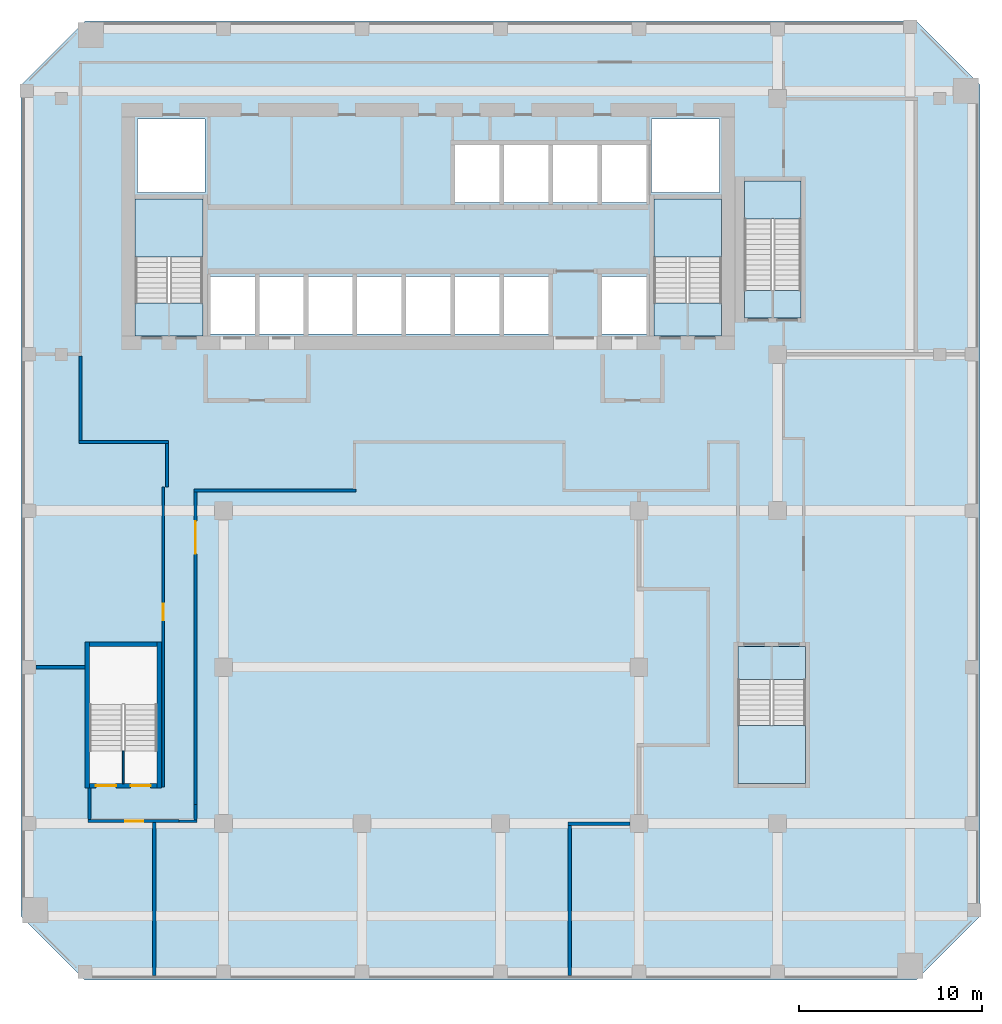
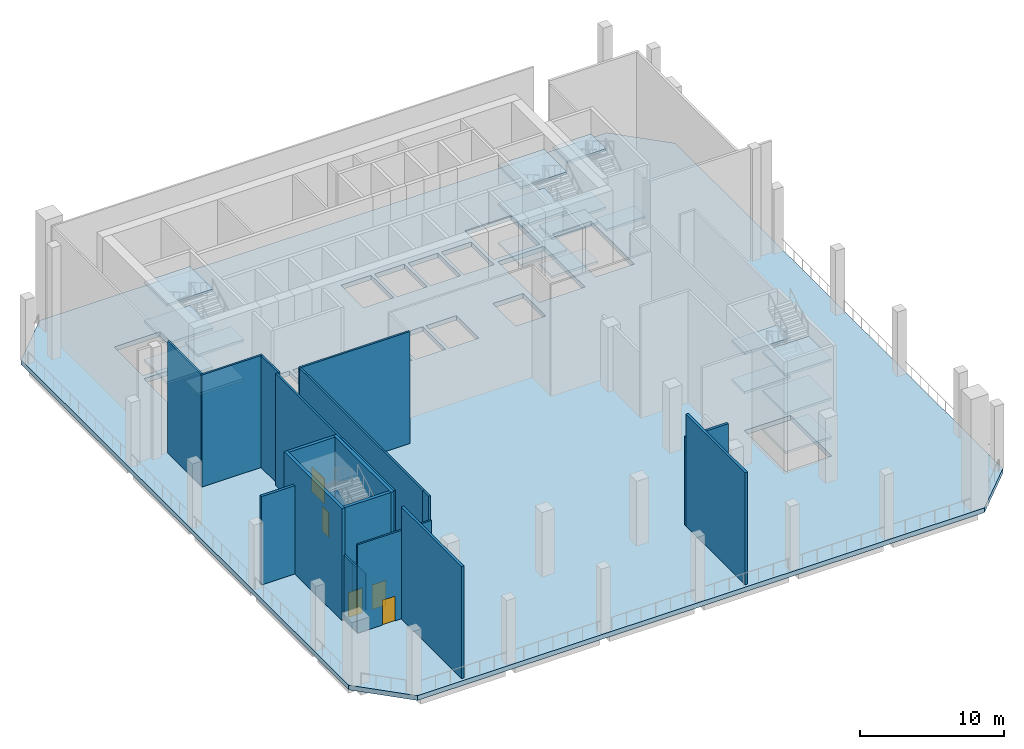
# One storey, part 2 of 12: 19 slabs, 19 walls, 5 doors, 5 openings, 4 elements without a shape of their own.
"""IFC4 building model written with IfcOpenShell, lengths in metres."""

from ifc_helpers import new_model, si_unit, direction, frame, frame_2d, origin, place, context, subcontext, project, spatial, polyline, rectangle, outline, extrude, source, transform, mapped, material, layer, layer_set, type_object, element, fill, aggregate, save


model = new_model("IFC4")

# Units and contexts
model_context = context("Model", 3, precision=1e-05, world=origin(), true_north=direction((0.0, 1.0)))
body_context = subcontext(model_context, "Body", "Model", "MODEL_VIEW")
ifc_project = project(units=[si_unit("LENGTHUNIT", "METRE"), si_unit("AREAUNIT", "SQUARE_METRE"), si_unit("VOLUMEUNIT", "CUBIC_METRE"), si_unit("PLANEANGLEUNIT", "RADIAN"), si_unit("MASSUNIT", "GRAM", prefix="KILO")], contexts=[model_context])

# Site, building, storey
site_placement = place(None, origin())
site = spatial("IfcSite", under=ifc_project, at=site_placement, CompositionType="ELEMENT")
building_placement = place(site_placement, origin())
building = spatial("IfcBuilding", under=site, at=building_placement, Name="Kilnfold Tower and Market Hall", CompositionType="ELEMENT")
storey_placement = place(building_placement, frame((0.0, 0.0, 223.699951171875)))
storey = spatial("IfcBuildingStorey", under=building, at=storey_placement, Name="L55 Refuge Wind Floor", CompositionType="ELEMENT", Elevation=223.699951171875)

# Slab
ifc_material_1 = material(Name="Concrete C45", Category="concrete")
ifc_layer_1 = layer(ifc_material_1, 0.39990234375)
ifc_layer_set_1 = layer_set([ifc_layer_1], Name="Concrete C45")
slab_type_1 = type_object("IfcSlabType", Name="FLOOR SLAB 400", PredefinedType="FLOOR", material=ifc_layer_set_1)
shared_shape_1 = source(origin(), body_context, "Body", "SweptSolid", [
    extrude(outline(polyline([(-17.75, -26.25), (27.75, -26.25), (31.25, -22.75), (31.25, 22.75), (27.75, 26.25), (-17.75, 26.25), (-21.25, 22.75), (-21.25, -22.75), (-17.75, -26.25)]), holes=[polyline([(-13.800537109375, -13.699462890625), (-17.49951171875, -13.699462890625), (-17.49951171875, -8.00048828125), (-13.800537109375, -8.00048828125), (-13.800537109375, -13.699462890625)]), polyline([(-14.99951171875, 10.800537109375), (-14.99951171875, 16.49951171875), (-11.300537109375, 16.49951171875), (-11.300537109375, 10.800537109375), (-14.99951171875, 10.800537109375)]), polyline([(-11.175048828125, 16.875), (-14.875, 16.875), (-14.875, 20.875), (-11.175048828125, 20.875), (-11.175048828125, 16.875)]), polyline([(-8.455078125, 9.125), (-10.885009765625, 9.125), (-10.885009765625, 12.27490234375), (-8.455078125, 12.27490234375), (-8.455078125, 9.125)]), polyline([(-5.77490234375, 9.125), (-8.205078125, 9.125), (-8.205078125, 12.27490234375), (-5.77490234375, 12.27490234375), (-5.77490234375, 9.125)]), polyline([(-3.094970703125, 9.125), (-5.52490234375, 9.125), (-5.52490234375, 12.27490234375), (-3.094970703125, 12.27490234375), (-3.094970703125, 9.125)]), polyline([(-0.4150390625, 9.125), (-2.844970703125, 9.125), (-2.844970703125, 12.27490234375), (-0.4150390625, 12.27490234375), (-0.4150390625, 9.125)]), polyline([(2.264892578125, 9.125), (-0.1650390625, 9.125), (-0.1650390625, 12.27490234375), (2.264892578125, 12.27490234375), (2.264892578125, 9.125)]), polyline([(4.945068359375, 9.125), (2.514892578125, 9.125), (2.514892578125, 12.27490234375), (4.945068359375, 12.27490234375), (4.945068359375, 9.125)]), polyline([(2.514892578125, 16.324951171875), (2.514892578125, 19.47509765625), (4.945068359375, 19.47509765625), (4.945068359375, 16.324951171875), (2.514892578125, 16.324951171875)]), polyline([(7.625, 9.125), (5.195068359375, 9.125), (5.195068359375, 12.27490234375), (7.625, 12.27490234375), (7.625, 9.125)]), polyline([(7.625, 16.324951171875), (5.195068359375, 16.324951171875), (5.195068359375, 19.47509765625), (7.625, 19.47509765625), (7.625, 16.324951171875)]), polyline([(10.304931640625, 16.324951171875), (7.875, 16.324951171875), (7.875, 19.47509765625), (10.304931640625, 19.47509765625), (10.304931640625, 16.324951171875)]), polyline([(10.554931640625, 9.125), (10.554931640625, 12.27490234375), (12.985107421875, 12.27490234375), (12.985107421875, 9.125), (10.554931640625, 9.125)]), polyline([(10.554931640625, 16.324951171875), (10.554931640625, 19.47509765625), (12.985107421875, 19.47509765625), (12.985107421875, 16.324951171875), (10.554931640625, 16.324951171875)]), polyline([(13.27490234375, 16.875), (13.27490234375, 20.875), (16.97509765625, 20.875), (16.97509765625, 16.875), (13.27490234375, 16.875)]), polyline([(13.400390625, 10.800537109375), (13.400390625, 16.49951171875), (17.099609375, 16.49951171875), (17.099609375, 10.800537109375), (13.400390625, 10.800537109375)]), polyline([(18.00048828125, -9.800537109375), (21.699462890625, -9.800537109375), (21.699462890625, -15.49951171875), (18.00048828125, -15.49951171875), (18.00048828125, -9.800537109375)]), polyline([(21.449462890625, 11.50048828125), (18.3505859375, 11.50048828125), (18.3505859375, 17.49951171875), (21.449462890625, 17.49951171875), (21.449462890625, 11.50048828125)])]), origin(), (0.0, 0.0, 1.0), 0.400146484375),
])
slab_1_placement = place(storey_placement, frame((0.0, 0.0, -0.400146484375)))
element("IfcSlab", 1, at=slab_1_placement, inside=storey, type_object=slab_type_1, Name="Floor slab L55", PredefinedType="FLOOR", context=body_context, shape_type="MappedRepresentation", body=[
    mapped(shared_shape_1, transform((0.0, 0.0, 0.0))),
])

# Stair, slabs
ifc_material_2 = material(Name="Concrete C40/50", Category="concrete")
stair_type_1 = type_object("IfcStairType", Name="CORE STAIR 1800", PredefinedType="HALF_TURN_STAIR", material=ifc_material_2)
stair_1_placement = place(storey_placement, origin())
stair_1 = element("IfcStair", 2, at=stair_1_placement, inside=storey, type_object=stair_type_1, Name="L55 Refuge Wind Floor ST1", PredefinedType="HALF_TURN_STAIR")
ifc_material_3 = material(Name="Concrete C40/50", Category="concrete")
ifc_layer_2 = layer(ifc_material_3, 0.199951171875)
ifc_layer_set_2 = layer_set([ifc_layer_2], Name="Concrete C40/50")
slab_type_2 = type_object("IfcSlabType", Name="CORE STAIR LANDING 200", PredefinedType="LANDING", material=ifc_layer_set_2)
shared_shape_2 = source(origin(), body_context, "Body", "SweptSolid", [
    extrude(outline(polyline([(-11.300048828125, 9.0), (-11.300048828125, 10.800048828125), (-15.0, 10.800048828125), (-15.0, 9.0), (-11.300048828125, 9.0)])), origin(), (0.0, 0.0, 1.0), 0.199951171875),
])
slab_2_placement = place(storey_placement, frame((0.0, 0.0, 3.10009765625)))
slab_2 = element("IfcSlab", 3, at=slab_2_placement, type_object=slab_type_2, Name="ST1 landing 2", PredefinedType="LANDING", context=body_context, shape_type="MappedRepresentation", body=[
    mapped(shared_shape_2, transform((0.0, 0.0, 0.0))),
])
slab_3_placement = place(storey_placement, frame((0.0, 0.0, 6.400146484375)))
slab_3 = element("IfcSlab", 4, at=slab_3_placement, type_object=slab_type_2, Name="ST1 landing 4", PredefinedType="LANDING", context=body_context, shape_type="MappedRepresentation", body=[
    mapped(shared_shape_2, transform((0.0, 0.0, 0.0))),
])
shared_shape_3 = source(origin(), body_context, "Body", "SweptSolid", [
    extrude(outline(polyline([(-11.300048828125, 13.320068359375), (-11.300048828125, 16.5), (-15.0, 16.5), (-15.0, 13.320068359375), (-11.300048828125, 13.320068359375)])), origin(), (0.0, 0.0, 1.0), 0.199951171875),
])
slab_4_placement = place(storey_placement, frame((0.0, 0.0, 4.75)))
slab_4 = element("IfcSlab", 5, at=slab_4_placement, type_object=slab_type_2, Name="ST1 landing 3", PredefinedType="LANDING", context=body_context, shape_type="MappedRepresentation", body=[
    mapped(shared_shape_3, transform((0.0, 0.0, 0.0))),
])
slab_5_placement = place(storey_placement, frame((0.0, 0.0, 8.050048828125)))
slab_5 = element("IfcSlab", 6, at=slab_5_placement, type_object=slab_type_2, Name="ST1 landing 5", PredefinedType="LANDING", context=body_context, shape_type="MappedRepresentation", body=[
    mapped(shared_shape_3, transform((0.0, 0.0, 0.0))),
])
shared_shape_4 = source(origin(), body_context, "Body", "SweptSolid", [
    extrude(outline(polyline([(-11.300048828125, 13.320068359375), (-11.300048828125, 16.5), (-15.0, 16.5), (-15.0, 13.320068359375), (-11.300048828125, 13.320068359375)])), origin(), (0.0, 0.0, 1.0), 0.2001953125),
])
slab_6_placement = place(storey_placement, frame((0.0, 0.0, 1.449951171875)))
slab_6 = element("IfcSlab", 7, at=slab_6_placement, type_object=slab_type_2, Name="ST1 landing 1", PredefinedType="LANDING", context=body_context, shape_type="MappedRepresentation", body=[
    mapped(shared_shape_4, transform((0.0, 0.0, 0.0))),
])
aggregate(stair_1, [slab_6, slab_2, slab_4, slab_3, slab_5])

stair_2_placement = place(storey_placement, origin())
stair_2 = element("IfcStair", 8, at=stair_2_placement, inside=storey, type_object=stair_type_1, Name="L55 Refuge Wind Floor ST2", PredefinedType="HALF_TURN_STAIR")
shared_shape_5 = source(origin(), body_context, "Body", "SweptSolid", [
    extrude(outline(polyline([(17.10009765625, 9.0), (17.10009765625, 10.800048828125), (13.39990234375, 10.800048828125), (13.39990234375, 9.0), (17.10009765625, 9.0)])), origin(), (0.0, 0.0, 1.0), 0.199951171875),
])
slab_7_placement = place(storey_placement, frame((0.0, 0.0, 3.10009765625)))
slab_7 = element("IfcSlab", 9, at=slab_7_placement, type_object=slab_type_2, Name="ST2 landing 2", PredefinedType="LANDING", context=body_context, shape_type="MappedRepresentation", body=[
    mapped(shared_shape_5, transform((0.0, 0.0, 0.0))),
])
slab_8_placement = place(storey_placement, frame((0.0, 0.0, 6.400146484375)))
slab_8 = element("IfcSlab", 10, at=slab_8_placement, type_object=slab_type_2, Name="ST2 landing 4", PredefinedType="LANDING", context=body_context, shape_type="MappedRepresentation", body=[
    mapped(shared_shape_5, transform((0.0, 0.0, 0.0))),
])
shared_shape_6 = source(origin(), body_context, "Body", "SweptSolid", [
    extrude(outline(polyline([(17.10009765625, 13.320068359375), (17.10009765625, 16.5), (13.39990234375, 16.5), (13.39990234375, 13.320068359375), (17.10009765625, 13.320068359375)])), origin(), (0.0, 0.0, 1.0), 0.199951171875),
])
slab_9_placement = place(storey_placement, frame((0.0, 0.0, 4.75)))
slab_9 = element("IfcSlab", 11, at=slab_9_placement, type_object=slab_type_2, Name="ST2 landing 3", PredefinedType="LANDING", context=body_context, shape_type="MappedRepresentation", body=[
    mapped(shared_shape_6, transform((0.0, 0.0, 0.0))),
])
slab_10_placement = place(storey_placement, frame((0.0, 0.0, 8.050048828125)))
slab_10 = element("IfcSlab", 12, at=slab_10_placement, type_object=slab_type_2, Name="ST2 landing 5", PredefinedType="LANDING", context=body_context, shape_type="MappedRepresentation", body=[
    mapped(shared_shape_6, transform((0.0, 0.0, 0.0))),
])
shared_shape_7 = source(origin(), body_context, "Body", "SweptSolid", [
    extrude(outline(polyline([(17.10009765625, 13.320068359375), (17.10009765625, 16.5), (13.39990234375, 16.5), (13.39990234375, 13.320068359375), (17.10009765625, 13.320068359375)])), origin(), (0.0, 0.0, 1.0), 0.2001953125),
])
slab_11_placement = place(storey_placement, frame((0.0, 0.0, 1.449951171875)))
slab_11 = element("IfcSlab", 13, at=slab_11_placement, type_object=slab_type_2, Name="ST2 landing 1", PredefinedType="LANDING", context=body_context, shape_type="MappedRepresentation", body=[
    mapped(shared_shape_7, transform((0.0, 0.0, 0.0))),
])
aggregate(stair_2, [slab_11, slab_7, slab_9, slab_8, slab_10])

stair_3_placement = place(storey_placement, origin())
stair_3 = element("IfcStair", 14, at=stair_3_placement, inside=storey, type_object=stair_type_1, Name="L55 Refuge Wind Floor ST4", PredefinedType="HALF_TURN_STAIR")
shared_shape_8 = source(origin(), body_context, "Body", "SweptSolid", [
    extrude(outline(polyline([(18.0, -8.0), (18.0, -9.800048828125), (21.699951171875, -9.800048828125), (21.699951171875, -8.0), (18.0, -8.0)])), origin(), (0.0, 0.0, 1.0), 0.199951171875),
])
slab_12_placement = place(storey_placement, frame((0.0, 0.0, 3.10009765625)))
slab_12 = element("IfcSlab", 15, at=slab_12_placement, type_object=slab_type_2, Name="ST4 landing 2", PredefinedType="LANDING", context=body_context, shape_type="MappedRepresentation", body=[
    mapped(shared_shape_8, transform((0.0, 0.0, 0.0))),
])
slab_13_placement = place(storey_placement, frame((0.0, 0.0, 6.400146484375)))
slab_13 = element("IfcSlab", 16, at=slab_13_placement, type_object=slab_type_2, Name="ST4 landing 4", PredefinedType="LANDING", context=body_context, shape_type="MappedRepresentation", body=[
    mapped(shared_shape_8, transform((0.0, 0.0, 0.0))),
])
shared_shape_9 = source(origin(), body_context, "Body", "SweptSolid", [
    extrude(outline(polyline([(18.0, -12.320068359375), (18.0, -15.5), (21.699951171875, -15.5), (21.699951171875, -12.320068359375), (18.0, -12.320068359375)])), origin(), (0.0, 0.0, 1.0), 0.199951171875),
])
slab_14_placement = place(storey_placement, frame((0.0, 0.0, 4.75)))
slab_14 = element("IfcSlab", 17, at=slab_14_placement, type_object=slab_type_2, Name="ST4 landing 3", PredefinedType="LANDING", context=body_context, shape_type="MappedRepresentation", body=[
    mapped(shared_shape_9, transform((0.0, 0.0, 0.0))),
])
slab_15_placement = place(storey_placement, frame((0.0, 0.0, 8.050048828125)))
slab_15 = element("IfcSlab", 18, at=slab_15_placement, type_object=slab_type_2, Name="ST4 landing 5", PredefinedType="LANDING", context=body_context, shape_type="MappedRepresentation", body=[
    mapped(shared_shape_9, transform((0.0, 0.0, 0.0))),
])
shared_shape_10 = source(origin(), body_context, "Body", "SweptSolid", [
    extrude(outline(polyline([(18.0, -12.320068359375), (18.0, -15.5), (21.699951171875, -15.5), (21.699951171875, -12.320068359375), (18.0, -12.320068359375)])), origin(), (0.0, 0.0, 1.0), 0.2001953125),
])
slab_16_placement = place(storey_placement, frame((0.0, 0.0, 1.449951171875)))
slab_16 = element("IfcSlab", 19, at=slab_16_placement, type_object=slab_type_2, Name="ST4 landing 1", PredefinedType="LANDING", context=body_context, shape_type="MappedRepresentation", body=[
    mapped(shared_shape_10, transform((0.0, 0.0, 0.0))),
])
aggregate(stair_3, [slab_16, slab_12, slab_14, slab_13, slab_15])

ifc_material_4 = material(Name="Concrete C40/50", Category="concrete")
stair_type_2 = type_object("IfcStairType", Name="CORE STAIR 1500", PredefinedType="HALF_TURN_STAIR", material=ifc_material_4)
stair_4_placement = place(storey_placement, origin())
stair_4 = element("IfcStair", 20, at=stair_4_placement, inside=storey, type_object=stair_type_2, Name="L55 Refuge Wind Floor ST5", PredefinedType="HALF_TURN_STAIR")
shared_shape_11 = source(origin(), body_context, "Body", "SweptSolid", [
    extrude(outline(polyline([(21.449951171875, 10.0), (21.449951171875, 11.5), (18.35009765625, 11.5), (18.35009765625, 10.0), (21.449951171875, 10.0)])), origin(), (0.0, 0.0, 1.0), 0.199951171875),
])
slab_17_placement = place(storey_placement, frame((0.0, 0.0, 4.75)))
slab_17 = element("IfcSlab", 21, at=slab_17_placement, type_object=slab_type_2, Name="ST5 landing 2", PredefinedType="LANDING", context=body_context, shape_type="MappedRepresentation", body=[
    mapped(shared_shape_11, transform((0.0, 0.0, 0.0))),
])
shared_shape_12 = source(origin(), body_context, "Body", "SweptSolid", [
    extrude(outline(polyline([(21.449951171875, 15.419921875), (21.449951171875, 17.5), (18.35009765625, 17.5), (18.35009765625, 15.419921875), (21.449951171875, 15.419921875)])), origin(), (0.0, 0.0, 1.0), 0.199951171875),
])
slab_18_placement = place(storey_placement, frame((0.0, 0.0, 2.275146484375)))
slab_18 = element("IfcSlab", 22, at=slab_18_placement, type_object=slab_type_2, Name="ST5 landing 1", PredefinedType="LANDING", context=body_context, shape_type="MappedRepresentation", body=[
    mapped(shared_shape_12, transform((0.0, 0.0, 0.0))),
])
slab_19_placement = place(storey_placement, frame((0.0, 0.0, 7.22509765625)))
slab_19 = element("IfcSlab", 23, at=slab_19_placement, type_object=slab_type_2, Name="ST5 landing 3", PredefinedType="LANDING", context=body_context, shape_type="MappedRepresentation", body=[
    mapped(shared_shape_12, transform((0.0, 0.0, 0.0))),
])
aggregate(stair_4, [slab_18, slab_17, slab_19])

# Wall, opening, door
ifc_material_5 = material(Name="Gypsum board on steel studs", Category="steel")
ifc_layer_3 = layer(ifc_material_5, 0.14990234375)
ifc_layer_set_3 = layer_set([ifc_layer_3], Name="Gypsum board on steel studs")
wall_type_1 = type_object("IfcWallType", Name="WALL CORRIDOR 150", PredefinedType="PARTITIONING", material=ifc_layer_set_3)
wall_1_placement = place(storey_placement, frame((-13.469970703125, 0.75, 0.0), z_axis=(0.0, 0.0, 1.0), x_axis=(0.0, -1.0, 0.0)))
wall_1 = element("IfcWall", 24, at=wall_1_placement, inside=storey, type_object=wall_type_1, Name="Partition LY33.1", PredefinedType="PARTITIONING", context=body_context, shape_type="SweptSolid", body=[
    extrude(rectangle(XDim=16.425048828125, YDim=0.14990234375, at=frame_2d((8.21240234375, 0.0))), origin(), (0.0, 0.0, 1.0), 9.5),
])
opening_1_placement = place(wall_1_placement, frame((6.409912109375, 0.0, 0.0)))
opening_1 = element("IfcOpeningElement", 25, at=opening_1_placement, cuts=wall_1, Name="Opening D2", PredefinedType="OPENING", context=body_context, shape_type="SweptSolid", body=[
    extrude(rectangle(XDim=0.89990234375, YDim=2.10009765625, at=frame_2d((0.449951171875, 1.050048828125))), frame((0.0, 0.0849609375, 0.0), z_axis=(0.0, -1.0, 0.0), x_axis=(1.0, 0.0, 0.0)), (0.0, 0.0, 1.0), 0.169921875),
])
ifc_material_6 = material(Name="Timber veneer door leaf in steel frame", Category="steel")
door_type_1 = type_object("IfcDoorType", Name="DOOR ROOM 900 X2100", OperationType="NOTDEFINED", PredefinedType="DOOR", material=ifc_material_6)
door_1_placement = place(opening_1_placement, origin())
door_1 = element("IfcDoor", 26, at=door_1_placement, inside=storey, type_object=door_type_1, Name="Door D2", OperationType="SINGLE_SWING_LEFT", OverallHeight=2.10009765625, OverallWidth=0.89990234375, PredefinedType="DOOR", context=body_context, shape_type="SweptSolid", body=[
    extrude(rectangle(XDim=0.89990234375, YDim=2.10009765625, at=frame_2d((0.449951171875, 1.050048828125))), frame((0.0, 0.02490234375, 0.0), z_axis=(0.0, -1.0, 0.0), x_axis=(1.0, 0.0, 0.0)), (0.0, 0.0, 1.0), 0.050048828125),
])
fill(opening_1, door_1)

# Walls
wall_2_placement = place(storey_placement, frame((-13.260009765625, 3.125, 0.0), z_axis=(0.0, 0.0, 1.0), x_axis=(0.0, -1.0, 0.0)))
element("IfcWall", 27, at=wall_2_placement, inside=storey, type_object=wall_type_1, Name="Partition LY33.2", PredefinedType="PARTITIONING", context=body_context, shape_type="SweptSolid", body=[
    extrude(rectangle(XDim=2.375, YDim=0.14990234375, at=frame_2d((1.1875, 0.0))), origin(), (0.0, 0.0, 1.0), 9.5),
])
wall_3_placement = place(storey_placement, frame((-18.074951171875, 3.199951171875, 0.0), z_axis=(0.0, 0.0, 1.0), x_axis=(1.0, 0.0, 0.0)))
element("IfcWall", 28, at=wall_3_placement, inside=storey, type_object=wall_type_1, Name="Partition LY33.3", PredefinedType="PARTITIONING", context=body_context, shape_type="SweptSolid", body=[
    extrude(rectangle(XDim=4.889892578125, YDim=0.14990234375, at=frame_2d((2.44482421875, 0.0))), origin(), (0.0, 0.0, 1.0), 9.5),
])
wall_4_placement = place(storey_placement, frame((-18.0, 3.27490234375, 0.0), z_axis=(0.0, 0.0, 1.0), x_axis=(0.0, 1.0, 0.0)))
element("IfcWall", 29, at=wall_4_placement, inside=storey, type_object=wall_type_1, Name="Partition LY33.4", PredefinedType="PARTITIONING", context=body_context, shape_type="SweptSolid", body=[
    extrude(rectangle(XDim=4.635009765625, YDim=0.14990234375, at=frame_2d((2.3173828125, 0.0))), origin(), (0.0, 0.0, 1.0), 9.5),
])
wall_5_placement = place(storey_placement, frame((-11.77490234375, 0.550048828125, 0.0), z_axis=(0.0, 0.0, 1.0), x_axis=(1.0, 0.0, 0.0)))
element("IfcWall", 30, at=wall_5_placement, inside=storey, type_object=wall_type_1, Name="Partition LY33.9", PredefinedType="PARTITIONING", context=body_context, shape_type="SweptSolid", body=[
    extrude(rectangle(XDim=8.849853515625, YDim=0.14990234375, at=frame_2d((4.4248046875, 0.0))), origin(), (0.0, 0.0, 1.0), 9.5),
])

# Wall, opening, door
wall_6_placement = place(storey_placement, frame((-11.699951171875, -16.64794921875, 0.0), z_axis=(0.0, 0.0, 1.0), x_axis=(0.0, 1.0, 0.0)))
wall_6 = element("IfcWall", 31, at=wall_6_placement, inside=storey, type_object=wall_type_1, Name="Partition LY33.10", PredefinedType="PARTITIONING", context=body_context, shape_type="SweptSolid", body=[
    extrude(rectangle(XDim=17.123046875, YDim=0.14990234375, at=frame_2d((8.5615234375, 0.0))), origin(), (0.0, 0.0, 1.0), 9.5),
])
opening_2_placement = place(wall_6_placement, frame((13.720947265625, 0.0, 0.0)))
opening_2 = element("IfcOpeningElement", 32, at=opening_2_placement, cuts=wall_6, Name="Opening D5", PredefinedType="OPENING", context=body_context, shape_type="SweptSolid", body=[
    extrude(rectangle(XDim=1.800048828125, YDim=2.10009765625, at=frame_2d((0.89990234375, 1.050048828125))), frame((0.0, 0.0849609375, 0.0), z_axis=(0.0, -1.0, 0.0), x_axis=(1.0, 0.0, 0.0)), (0.0, 0.0, 1.0), 0.169921875),
])
ifc_material_7 = material(Name="Timber veneer door leaf in steel frame", Category="steel")
door_type_2 = type_object("IfcDoorType", Name="DOOR DOUBLE 1800 X2100", OperationType="NOTDEFINED", PredefinedType="DOOR", material=ifc_material_7)
door_2_placement = place(opening_2_placement, origin())
door_2 = element("IfcDoor", 33, at=door_2_placement, inside=storey, type_object=door_type_2, Name="Door D5", OperationType="DOUBLE_DOOR_SINGLE_SWING", OverallHeight=2.10009765625, OverallWidth=1.800048828125, PredefinedType="DOOR", context=body_context, shape_type="SweptSolid", body=[
    extrude(rectangle(XDim=1.800048828125, YDim=2.10009765625, at=frame_2d((0.89990234375, 1.050048828125))), frame((0.0, 0.02490234375, 0.0), z_axis=(0.0, -1.0, 0.0), x_axis=(1.0, 0.0, 0.0)), (0.0, 0.0, 1.0), 0.050048828125),
])
fill(opening_2, door_2)

# Walls
wall_7_placement = place(storey_placement, frame((-11.697998046875, -17.47705078125, 0.0), z_axis=(0.0, 0.0, 1.0), x_axis=(0.0, 1.0, 0.0)))
element("IfcWall", 34, at=wall_7_placement, inside=storey, type_object=wall_type_1, Name="Partition LY33.11", PredefinedType="PARTITIONING", context=body_context, shape_type="SweptSolid", body=[
    extrude(rectangle(XDim=0.8291015625, YDim=0.14990234375, at=frame_2d((0.41455078125, 0.0))), origin(), (0.0, 0.0, 1.0), 9.5),
])
wall_8_placement = place(storey_placement, frame((-12.60205078125, -17.552001953125, 0.0), z_axis=(0.0, 0.0, 1.0), x_axis=(1.0, 0.0, 0.0)))
element("IfcWall", 35, at=wall_8_placement, inside=storey, type_object=wall_type_1, Name="Partition LY33.12", PredefinedType="PARTITIONING", context=body_context, shape_type="SweptSolid", body=[
    extrude(rectangle(XDim=0.97900390625, YDim=0.14990234375, at=frame_2d((0.489501953125, 0.0))), origin(), (0.0, 0.0, 1.0), 7.5),
])

# Wall, opening, door
wall_9_placement = place(storey_placement, frame((-17.574951171875, -17.550048828125, 0.0), z_axis=(0.0, 0.0, 1.0), x_axis=(1.0, 0.0, 0.0)))
wall_9 = element("IfcWall", 36, at=wall_9_placement, inside=storey, type_object=wall_type_1, Name="Partition LY33.13", PredefinedType="PARTITIONING", context=body_context, shape_type="SweptSolid", body=[
    extrude(rectangle(XDim=4.972900390625, YDim=0.14990234375, at=frame_2d((2.486328125, 0.0))), origin(), (0.0, 0.0, 1.0), 7.5),
])
opening_3_placement = place(wall_9_placement, frame((2.02099609375, 0.0, 0.0)))
opening_3 = element("IfcOpeningElement", 37, at=opening_3_placement, cuts=wall_9, Name="Opening D4", PredefinedType="OPENING", context=body_context, shape_type="SweptSolid", body=[
    extrude(rectangle(XDim=1.0, YDim=2.10009765625, at=frame_2d((0.5, 1.050048828125))), frame((0.0, 0.0849609375, 0.0), z_axis=(0.0, -1.0, 0.0), x_axis=(1.0, 0.0, 0.0)), (0.0, 0.0, 1.0), 0.169921875),
])
ifc_material_8 = material(Name="Timber veneer door leaf in steel frame", Category="steel")
door_type_3 = type_object("IfcDoorType", Name="DOOR SERVICE 1000 X2100", OperationType="NOTDEFINED", PredefinedType="DOOR", material=ifc_material_8)
door_3_placement = place(opening_3_placement, origin())
door_3 = element("IfcDoor", 38, at=door_3_placement, inside=storey, type_object=door_type_3, Name="Door D4", OperationType="SINGLE_SWING_LEFT", OverallHeight=2.10009765625, OverallWidth=1.0, PredefinedType="DOOR", context=body_context, shape_type="SweptSolid", body=[
    extrude(rectangle(XDim=1.0, YDim=2.10009765625, at=frame_2d((0.5, 1.050048828125))), frame((0.0, 0.02490234375, 0.0), z_axis=(0.0, -1.0, 0.0), x_axis=(1.0, 0.0, 0.0)), (0.0, 0.0, 1.0), 0.050048828125),
])
fill(opening_3, door_3)

# Walls
wall_10_placement = place(storey_placement, frame((-17.5, -15.75, 0.0), z_axis=(0.0, 0.0, 1.0), x_axis=(0.0, -1.0, 0.0)))
element("IfcWall", 39, at=wall_10_placement, inside=storey, type_object=wall_type_1, Name="Partition LY33.14", PredefinedType="PARTITIONING", context=body_context, shape_type="SweptSolid", body=[
    extrude(rectangle(XDim=1.72509765625, YDim=0.14990234375, at=frame_2d((0.862548828125, 0.0))), origin(), (0.0, 0.0, 1.0), 5.5),
])
ifc_material_9 = material(Name="Gypsum board on steel studs", Category="steel")
ifc_layer_4 = layer(ifc_material_9, 0.199951171875)
ifc_layer_set_4 = layer_set([ifc_layer_4], Name="Gypsum board on steel studs")
wall_type_2 = type_object("IfcWallType", Name="WALL PARTY 200", PredefinedType="PARTITIONING", material=ifc_layer_set_4)
wall_11_placement = place(storey_placement, frame((-20.425048828125, -9.125, 0.0), z_axis=(0.0, 0.0, 1.0), x_axis=(1.0, 0.0, 0.0)))
element("IfcWall", 40, at=wall_11_placement, inside=storey, type_object=wall_type_2, Name="Partition LY33.26", PredefinedType="PARTITIONING", context=body_context, shape_type="SweptSolid", body=[
    extrude(rectangle(XDim=2.675048828125, YDim=0.199951171875, at=frame_2d((1.33740234375, 0.0))), origin(), (0.0, 0.0, 1.0), 7.5),
])
wall_12_placement = place(storey_placement, frame((-13.958984375, -17.626953125, 0.0), z_axis=(0.0, 0.0, 1.0), x_axis=(0.0, -1.0, 0.0)))
element("IfcWall", 41, at=wall_12_placement, inside=storey, type_object=wall_type_2, Name="Partition LY33.28", PredefinedType="PARTITIONING", context=body_context, shape_type="SweptSolid", body=[
    extrude(rectangle(XDim=8.373046875, YDim=0.199951171875, at=frame_2d((4.1865234375, 0.0))), origin(), (0.0, 0.0, 1.0), 9.5),
])
wall_13_placement = place(storey_placement, frame((8.69091796875, -17.68798828125, 0.0), z_axis=(0.0, 0.0, 1.0), x_axis=(1.0, 0.0, 0.0)))
element("IfcWall", 42, at=wall_13_placement, inside=storey, type_object=wall_type_2, Name="Partition LY33.35", PredefinedType="PARTITIONING", context=body_context, shape_type="SweptSolid", body=[
    extrude(rectangle(XDim=3.39208984375, YDim=0.199951171875, at=frame_2d((1.696044921875, 0.0))), origin(), (0.0, 0.0, 1.0), 7.5),
])
wall_14_placement = place(storey_placement, frame((8.791015625, -26.0, 0.0), z_axis=(0.0, 0.0, 1.0), x_axis=(0.0, 1.0, 0.0)))
element("IfcWall", 43, at=wall_14_placement, inside=storey, type_object=wall_type_2, Name="Partition LY33.36", PredefinedType="PARTITIONING", context=body_context, shape_type="SweptSolid", body=[
    extrude(rectangle(XDim=8.2119140625, YDim=0.199951171875, at=frame_2d((4.10595703125, 0.0))), origin(), (0.0, 0.0, 1.0), 9.5),
])

# Wall, openings, doors
ifc_material_10 = material(Name="Concrete C60", Category="concrete")
ifc_layer_5 = layer(ifc_material_10, 0.25)
ifc_layer_set_5 = layer_set([ifc_layer_5], Name="Concrete C60")
wall_type_3 = type_object("IfcWallType", Name="CORE WALL 250 C60", PredefinedType="SHEAR", material=ifc_layer_set_5)
shared_shape_13 = source(origin(), body_context, "Body", "SweptSolid", [
    extrude(rectangle(XDim=3.699951171875, YDim=0.25, at=frame_2d((1.85009765625, 0.0))), origin(), (0.0, 0.0, 1.0), 9.5),
])
wall_15_placement = place(storey_placement, frame((-17.5, -15.625, 0.0), z_axis=(0.0, 0.0, 1.0), x_axis=(1.0, 0.0, 0.0)))
wall_15 = element("IfcWall", 44, at=wall_15_placement, inside=storey, type_object=wall_type_3, Name="Stair enclosure ST3", PredefinedType="SHEAR", context=body_context, shape_type="MappedRepresentation", body=[
    mapped(shared_shape_13, transform((0.0, 0.0, 0.0))),
])
opening_4_placement = place(wall_15_placement, frame((0.35009765625, 0.0, 0.0)))
opening_4 = element("IfcOpeningElement", 45, at=opening_4_placement, cuts=wall_15, Name="Opening SD3", PredefinedType="OPENING", context=body_context, shape_type="SweptSolid", body=[
    extrude(rectangle(XDim=1.10009765625, YDim=2.10009765625, at=frame_2d((0.550048828125, 1.050048828125))), frame((0.0, 0.135009765625, 0.0), z_axis=(0.0, -1.0, 0.0), x_axis=(1.0, 0.0, 0.0)), (0.0, 0.0, 1.0), 0.27001953125),
])
opening_5_placement = place(wall_15_placement, frame((2.25, 0.0, 0.0)))
opening_5 = element("IfcOpeningElement", 46, at=opening_5_placement, cuts=wall_15, Name="Opening SD3", PredefinedType="OPENING", context=body_context, shape_type="SweptSolid", body=[
    extrude(rectangle(XDim=1.10009765625, YDim=2.10009765625, at=frame_2d((0.550048828125, 1.050048828125))), frame((0.0, 0.135009765625, 0.0), z_axis=(0.0, -1.0, 0.0), x_axis=(1.0, 0.0, 0.0)), (0.0, 0.0, 1.0), 0.27001953125),
])
ifc_material_11 = material(Name="Steel door set with fire-resisting leaf", Category="steel")
door_type_4 = type_object("IfcDoorType", Name="STAIR REFUGE DOOR 1100X2100", OperationType="NOTDEFINED", PredefinedType="DOOR", material=ifc_material_11)
door_4_placement = place(opening_4_placement, origin())
door_4 = element("IfcDoor", 47, at=door_4_placement, inside=storey, type_object=door_type_4, Name="Exit stair ST3 door from refuge", OperationType="SINGLE_SWING_RIGHT", OverallHeight=2.10009765625, OverallWidth=1.10009765625, PredefinedType="DOOR", context=body_context, shape_type="SweptSolid", body=[
    extrude(rectangle(XDim=1.10009765625, YDim=2.10009765625, at=frame_2d((0.550048828125, 1.050048828125))), frame((0.0, 0.02490234375, 0.0), z_axis=(0.0, -1.0, 0.0), x_axis=(1.0, 0.0, 0.0)), (0.0, 0.0, 1.0), 0.050048828125),
])
fill(opening_4, door_4)
door_5_placement = place(opening_5_placement, origin())
door_5 = element("IfcDoor", 48, at=door_5_placement, inside=storey, type_object=door_type_4, Name="Exit stair ST3 door to refuge", OperationType="SINGLE_SWING_LEFT", OverallHeight=2.10009765625, OverallWidth=1.10009765625, PredefinedType="DOOR", context=body_context, shape_type="SweptSolid", body=[
    extrude(rectangle(XDim=1.10009765625, YDim=2.10009765625, at=frame_2d((0.550048828125, 1.050048828125))), frame((0.0, 0.02490234375, 0.0), z_axis=(0.0, -1.0, 0.0), x_axis=(1.0, 0.0, 0.0)), (0.0, 0.0, 1.0), 0.050048828125),
])
fill(opening_5, door_5)

# Walls
wall_16_placement = place(storey_placement, frame((-17.5, -7.875, 0.0), z_axis=(0.0, 0.0, 1.0), x_axis=(1.0, 0.0, 0.0)))
element("IfcWall", 49, at=wall_16_placement, inside=storey, type_object=wall_type_3, Name="Stair enclosure ST3", PredefinedType="SHEAR", context=body_context, shape_type="MappedRepresentation", body=[
    mapped(shared_shape_13, transform((0.0, 0.0, 0.0))),
])
shared_shape_14 = source(origin(), body_context, "Body", "SweptSolid", [
    extrude(rectangle(XDim=8.0, YDim=0.25, at=frame_2d((4.0, 0.0))), origin(), (0.0, 0.0, 1.0), 9.5),
])
for number, where, z_axis, x_axis, name in (
    (50, (-17.625, -15.75, 0.0), (0.0, 0.0, 1.0), (0.0, 1.0, 0.0), "Stair enclosure ST3"),
    (51, (-13.675048828125, -15.75, 0.0), (0.0, 0.0, 1.0), (0.0, 1.0, 0.0), "Stair enclosure ST3"),
):
    element("IfcWall", number, at=place(storey_placement, frame(where, z_axis=z_axis, x_axis=x_axis)), inside=storey, type_object=wall_type_3, Name=name, PredefinedType="SHEAR", context=body_context, shape_type="MappedRepresentation", body=[
        mapped(shared_shape_14, transform((0.0, 0.0, 0.0))),
    ])
ifc_material_12 = material(Name="Gypsum shaft wall system")
ifc_layer_6 = layer(ifc_material_12, 0.10009765625)
ifc_layer_set_6 = layer_set([ifc_layer_6], Name="Gypsum shaft wall system")
wall_type_4 = type_object("IfcWallType", Name="STAIR PARTITION 100", PredefinedType="PARTITIONING", material=ifc_layer_set_6)
shared_shape_15 = source(origin(), body_context, "Body", "SweptSolid", [
    extrude(rectangle(XDim=1.800048828125, YDim=0.10009765625, at=frame_2d((0.89990234375, 0.0))), origin(), (0.0, 0.0, 1.0), 3.10009765625),
])
wall_17_placement = place(storey_placement, frame((-15.64990234375, -15.5, 0.0), z_axis=(0.0, 0.0, 1.0), x_axis=(0.0, 1.0, 0.0)))
element("IfcWall", 52, at=wall_17_placement, inside=storey, type_object=wall_type_4, Name="Exit stair ST3 refuge partition", PredefinedType="PARTITIONING", context=body_context, shape_type="MappedRepresentation", body=[
    mapped(shared_shape_15, transform((0.0, 0.0, 0.0))),
])

save(model, "model.ifc")
